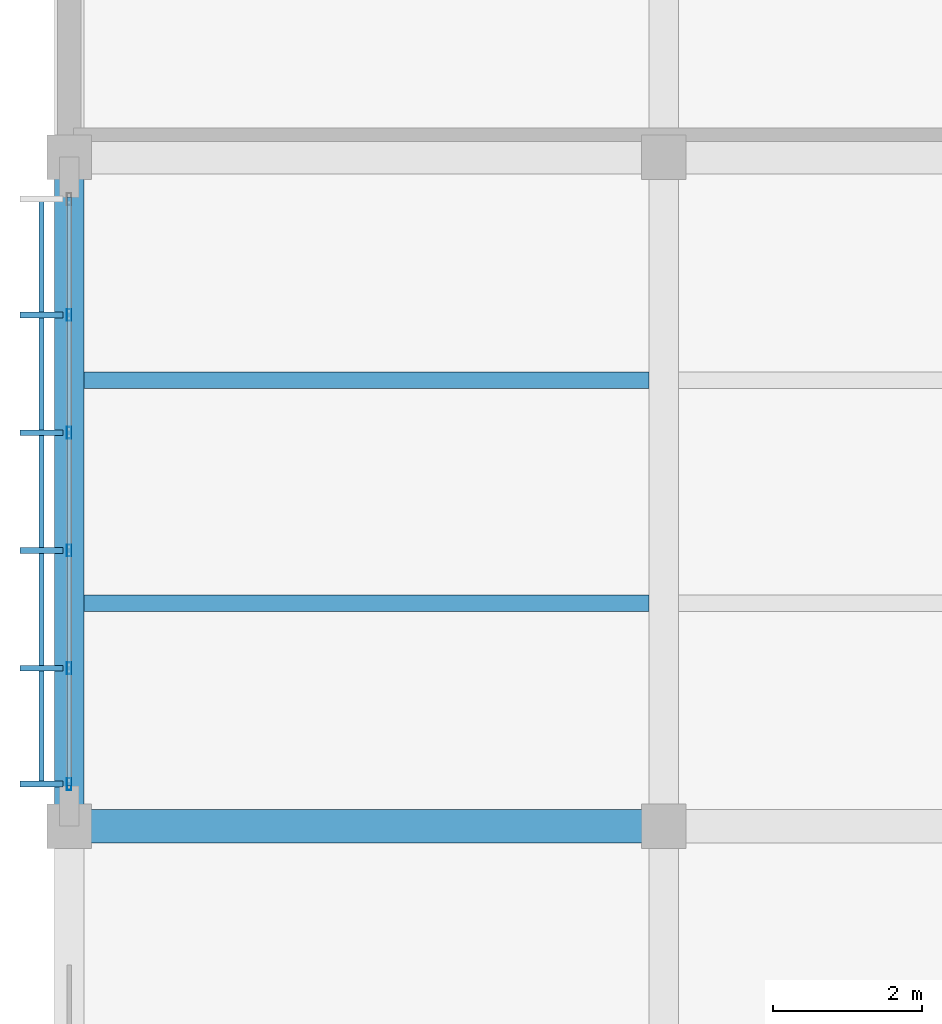
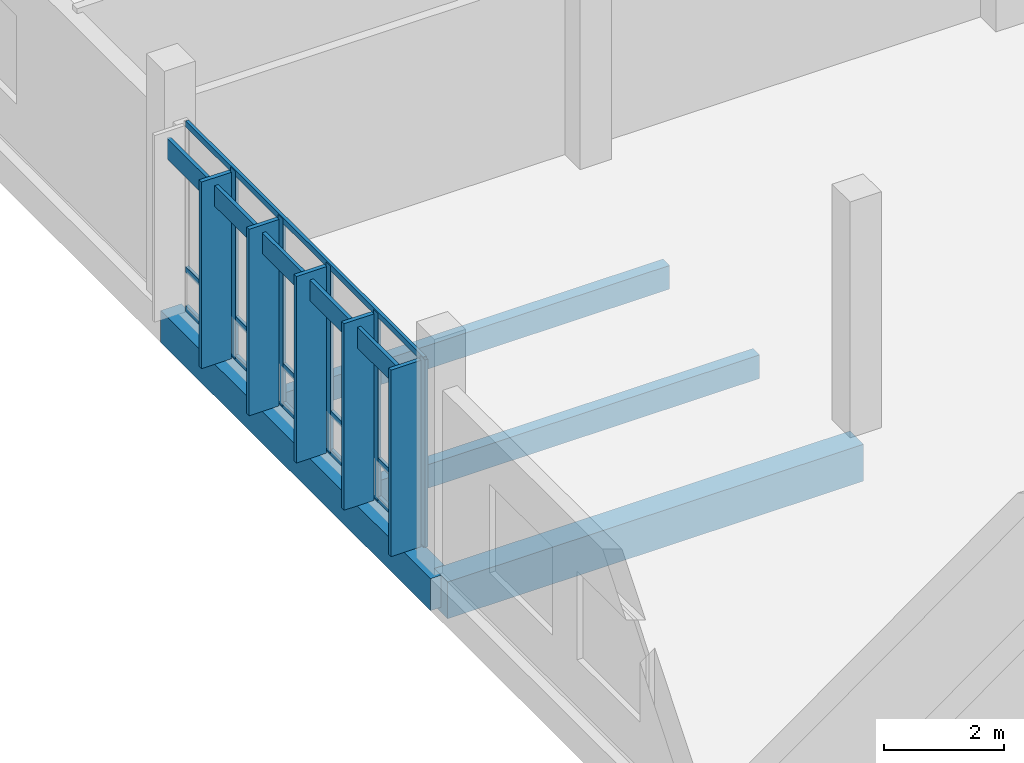
# One storey, part 73 of 177: 14 members, 4 beams, 1 element without a shape of its own.
"""IFC4 building model written with IfcOpenShell, lengths in metres."""

from ifc_helpers import new_model, si_unit, direction, frame, origin, origin_2d, place, context, subcontext, project, spatial, rectangle, hollow_rectangle, extrude, material, material_profile, profile_set, type_object, element, aggregate, save


model = new_model("IFC4")

# Units and contexts
model_context = context("Model", 3, precision=1e-05, world=origin(), true_north=direction((0.0, 1.0)))
body_context = subcontext(model_context, "Body", "Model", "MODEL_VIEW")
ifc_project = project(units=[si_unit("LENGTHUNIT", "METRE"), si_unit("AREAUNIT", "SQUARE_METRE"), si_unit("VOLUMEUNIT", "CUBIC_METRE"), si_unit("PLANEANGLEUNIT", "RADIAN"), si_unit("MASSUNIT", "GRAM", prefix="KILO")], contexts=[model_context])

# Site, building, storey
site_placement = place(None, origin())
site = spatial("IfcSite", under=ifc_project, at=site_placement, CompositionType="ELEMENT")
building_placement = place(site_placement, origin())
building = spatial("IfcBuilding", under=site, at=building_placement, Name="Chiffa Square Polytechnic", CompositionType="ELEMENT")
storey_placement = place(building_placement, frame((0.0, 0.0, 4.800048828125)))
storey = spatial("IfcBuildingStorey", under=building, at=storey_placement, Name="L01", CompositionType="ELEMENT", Elevation=4.800048828125)

# Beams
ifc_material_1 = material(Name="Concrete C35/45", Category="concrete")
ifc_material_profile_1 = material_profile(ifc_material_1, rectangle(XDim=0.39990234375, YDim=0.64990234375, at=origin_2d()), Name="RC 400x650")
ifc_profile_set_1 = profile_set([ifc_material_profile_1], Name="Concrete C35/45")
beam_type_1 = type_object("IfcBeamType", Name="BM-RC-400X650", PredefinedType="BEAM", material=ifc_profile_set_1)
beam_1_placement = place(storey_placement, frame((0.0, 103.800048828125, -0.60498046875), z_axis=(0.0, 1.0, 0.0), x_axis=(-1.0, 0.0, 0.0)))
element("IfcBeam", 1, at=beam_1_placement, inside=storey, type_object=beam_type_1, Name="Primary floor girder BM-V5-L01-Y-0000-1038", PredefinedType="BEAM", context=body_context, shape_type="SweptSolid", body=[
    extrude(rectangle(XDim=0.39990234375, YDim=0.64990234375, at=origin_2d()), origin(), (0.0, 0.0, 1.0), 9.0),
])
ifc_material_profile_2 = material_profile(ifc_material_1, rectangle(XDim=0.449951171875, YDim=0.75, at=origin_2d()), Name="RC 450x750")
ifc_profile_set_2 = profile_set([ifc_material_profile_2], Name="Concrete C35/45")
beam_type_2 = type_object("IfcBeamType", Name="BM-RC-450X750", PredefinedType="BEAM", material=ifc_profile_set_2)
beam_2_placement = place(storey_placement, frame((0.0, 103.800048828125, -0.655029296875), z_axis=(1.0, 0.0, 0.0), x_axis=(0.0, 1.0, 0.0)))
element("IfcBeam", 2, at=beam_2_placement, inside=storey, type_object=beam_type_2, Name="Primary floor girder BM-V5-L01-X-0000-1038", PredefinedType="BEAM", context=body_context, shape_type="SweptSolid", body=[
    extrude(rectangle(XDim=0.449951171875, YDim=0.75, at=origin_2d()), origin(), (0.0, 0.0, 1.0), 8.0),
])

# Curtain wall, members
ifc_material_2 = material(Name="Aluminium EN AW-6060 T66 and glulam shading", Category="wood")
curtain_wall_type = type_object("IfcCurtainWallType", Name="CW-VERT-600X380", PredefinedType="USERDEFINED", material=ifc_material_2)
curtain_wall_placement = place(storey_placement, origin())
curtain_wall = element("IfcCurtainWall", 3, at=curtain_wall_placement, inside=storey, type_object=curtain_wall_type, Name="Curtain wall CW-V5-L01-212", ObjectType="CURTAIN WALL", PredefinedType="USERDEFINED")
ifc_material_3 = material(Name="Aluminium EN AW-6060 T66", Category="aluminium")
ifc_material_profile_3 = material_profile(ifc_material_3, hollow_rectangle(XDim=0.06005859375, YDim=0.159912109375, WallThickness=0.00390625, at=origin_2d()), Name="ALU 60x160x4")
ifc_profile_set_3 = profile_set([ifc_material_profile_3], Name="Aluminium EN AW-6060 T66")
member_type_1 = type_object("IfcMemberType", Name="CWM-ALU-65X150", PredefinedType="MULLION", material=ifc_profile_set_3)
member_1_placement = place(storey_placement, frame((0.0, 110.676025390625, 0.0), z_axis=(0.0, 0.0, 1.0), x_axis=(1.0, 0.0, 0.0)))
member_1 = element("IfcMember", 4, at=member_1_placement, type_object=member_type_1, Name="Curtain wall mullion CW-V5-L01-212-M01", PredefinedType="MULLION", context=body_context, shape_type="SweptSolid", body=[
    extrude(hollow_rectangle(XDim=0.06005859375, YDim=0.159912109375, WallThickness=0.00390625, at=origin_2d()), origin(), (0.0, 0.0, 1.0), 3.81494140625),
])
member_2_placement = place(storey_placement, frame((0.0, 109.092041015625, 0.0), z_axis=(0.0, 0.0, 1.0), x_axis=(1.0, 0.0, 0.0)))
member_2 = element("IfcMember", 5, at=member_2_placement, type_object=member_type_1, Name="Curtain wall mullion CW-V5-L01-212-M02", PredefinedType="MULLION", context=body_context, shape_type="SweptSolid", body=[
    extrude(hollow_rectangle(XDim=0.06005859375, YDim=0.159912109375, WallThickness=0.00390625, at=origin_2d()), origin(), (0.0, 0.0, 1.0), 3.81494140625),
])
member_3_placement = place(storey_placement, frame((0.0, 107.508056640625, 0.0), z_axis=(0.0, 0.0, 1.0), x_axis=(1.0, 0.0, 0.0)))
member_3 = element("IfcMember", 6, at=member_3_placement, type_object=member_type_1, Name="Curtain wall mullion CW-V5-L01-212-M03", PredefinedType="MULLION", context=body_context, shape_type="SweptSolid", body=[
    extrude(hollow_rectangle(XDim=0.06005859375, YDim=0.159912109375, WallThickness=0.00390625, at=origin_2d()), origin(), (0.0, 0.0, 1.0), 3.81494140625),
])
member_4_placement = place(storey_placement, frame((0.0, 105.924072265625, 0.0), z_axis=(0.0, 0.0, 1.0), x_axis=(1.0, 0.0, 0.0)))
member_4 = element("IfcMember", 7, at=member_4_placement, type_object=member_type_1, Name="Curtain wall mullion CW-V5-L01-212-M04", PredefinedType="MULLION", context=body_context, shape_type="SweptSolid", body=[
    extrude(hollow_rectangle(XDim=0.06005859375, YDim=0.159912109375, WallThickness=0.00390625, at=origin_2d()), origin(), (0.0, 0.0, 1.0), 3.81494140625),
])
member_5_placement = place(storey_placement, frame((0.0, 104.364990234375, 0.0), z_axis=(0.0, 0.0, 1.0), x_axis=(1.0, 0.0, 0.0)))
member_5 = element("IfcMember", 8, at=member_5_placement, type_object=member_type_1, Name="Curtain wall mullion CW-V5-L01-212-M05", PredefinedType="MULLION", context=body_context, shape_type="SweptSolid", body=[
    extrude(hollow_rectangle(XDim=0.06005859375, YDim=0.159912109375, WallThickness=0.00390625, at=origin_2d()), origin(), (0.0, 0.0, 1.0), 3.81494140625),
])
ifc_material_4 = material(Name="Glulam GL28h", Category="wood")
ifc_material_profile_4 = material_profile(ifc_material_4, rectangle(XDim=0.080078125, YDim=0.580078125, at=origin_2d()), Name="GL28h 80x580")
ifc_profile_set_4 = profile_set([ifc_material_profile_4], Name="Glulam GL28h")
member_type_2 = type_object("IfcMemberType", Name="CWM-GL-80X580", PredefinedType="MULLION", material=ifc_profile_set_4)
member_6_placement = place(storey_placement, frame((-0.3720703125, 110.676025390625, 0.010009765625), z_axis=(0.0, 0.0, 1.0), x_axis=(0.0, -1.0, 0.0)))
member_6 = element("IfcMember", 9, at=member_6_placement, type_object=member_type_2, Name="Exterior glulam solar fin CW-V5-L01-212-FN01", PredefinedType="MULLION", context=body_context, shape_type="SweptSolid", body=[
    extrude(rectangle(XDim=0.080078125, YDim=0.580078125, at=origin_2d()), origin(), (0.0, 0.0, 1.0), 3.794921875),
])
member_7_placement = place(storey_placement, frame((-0.3720703125, 109.092041015625, 0.010009765625), z_axis=(0.0, 0.0, 1.0), x_axis=(0.0, -1.0, 0.0)))
member_7 = element("IfcMember", 10, at=member_7_placement, type_object=member_type_2, Name="Exterior glulam solar fin CW-V5-L01-212-FN02", PredefinedType="MULLION", context=body_context, shape_type="SweptSolid", body=[
    extrude(rectangle(XDim=0.080078125, YDim=0.580078125, at=origin_2d()), origin(), (0.0, 0.0, 1.0), 3.794921875),
])
member_8_placement = place(storey_placement, frame((-0.3720703125, 107.508056640625, 0.010009765625), z_axis=(0.0, 0.0, 1.0), x_axis=(0.0, -1.0, 0.0)))
member_8 = element("IfcMember", 11, at=member_8_placement, type_object=member_type_2, Name="Exterior glulam solar fin CW-V5-L01-212-FN03", PredefinedType="MULLION", context=body_context, shape_type="SweptSolid", body=[
    extrude(rectangle(XDim=0.080078125, YDim=0.580078125, at=origin_2d()), origin(), (0.0, 0.0, 1.0), 3.794921875),
])
member_9_placement = place(storey_placement, frame((-0.3720703125, 105.924072265625, 0.010009765625), z_axis=(0.0, 0.0, 1.0), x_axis=(0.0, -1.0, 0.0)))
member_9 = element("IfcMember", 12, at=member_9_placement, type_object=member_type_2, Name="Exterior glulam solar fin CW-V5-L01-212-FN04", PredefinedType="MULLION", context=body_context, shape_type="SweptSolid", body=[
    extrude(rectangle(XDim=0.080078125, YDim=0.580078125, at=origin_2d()), origin(), (0.0, 0.0, 1.0), 3.794921875),
])
member_10_placement = place(storey_placement, frame((-0.3720703125, 104.364990234375, 0.010009765625), z_axis=(0.0, 0.0, 1.0), x_axis=(0.0, -1.0, 0.0)))
member_10 = element("IfcMember", 13, at=member_10_placement, type_object=member_type_2, Name="Exterior glulam solar fin CW-V5-L01-212-FN05", PredefinedType="MULLION", context=body_context, shape_type="SweptSolid", body=[
    extrude(rectangle(XDim=0.080078125, YDim=0.580078125, at=origin_2d()), origin(), (0.0, 0.0, 1.0), 3.794921875),
])
ifc_material_profile_5 = material_profile(ifc_material_3, hollow_rectangle(XDim=0.06005859375, YDim=0.1201171875, WallThickness=0.00390625, at=origin_2d()), Name="ALU 60x120x4")
ifc_profile_set_5 = profile_set([ifc_material_profile_5], Name="Aluminium EN AW-6060 T66")
member_type_3 = type_object("IfcMemberType", Name="CWT-ALU-65X120", PredefinedType="USERDEFINED", material=ifc_profile_set_5)
member_11_placement = place(storey_placement, frame((0.0, 112.261962890625, 0.030029296875), z_axis=(0.0, -1.0, 0.0), x_axis=(1.0, 0.0, 0.0)))
member_11 = element("IfcMember", 14, at=member_11_placement, type_object=member_type_3, Name="Curtain wall transom CW-V5-L01-212-T01", ObjectType="TRANSOM", PredefinedType="USERDEFINED", context=body_context, shape_type="SweptSolid", body=[
    extrude(hollow_rectangle(XDim=0.06005859375, YDim=0.1201171875, WallThickness=0.00390625, at=origin_2d()), origin(), (0.0, 0.0, 1.0), 7.924072265625),
])
member_12_placement = place(storey_placement, frame((0.0, 112.261962890625, 0.820068359375), z_axis=(0.0, -1.0, 0.0), x_axis=(1.0, 0.0, 0.0)))
member_12 = element("IfcMember", 15, at=member_12_placement, type_object=member_type_3, Name="Curtain wall transom CW-V5-L01-212-T02", ObjectType="TRANSOM", PredefinedType="USERDEFINED", context=body_context, shape_type="SweptSolid", body=[
    extrude(hollow_rectangle(XDim=0.06005859375, YDim=0.1201171875, WallThickness=0.00390625, at=origin_2d()), origin(), (0.0, 0.0, 1.0), 7.924072265625),
])
member_13_placement = place(storey_placement, frame((0.0, 112.261962890625, 3.784912109375), z_axis=(0.0, -1.0, 0.0), x_axis=(1.0, 0.0, 0.0)))
member_13 = element("IfcMember", 16, at=member_13_placement, type_object=member_type_3, Name="Curtain wall transom CW-V5-L01-212-T03", ObjectType="TRANSOM", PredefinedType="USERDEFINED", context=body_context, shape_type="SweptSolid", body=[
    extrude(hollow_rectangle(XDim=0.06005859375, YDim=0.1201171875, WallThickness=0.00390625, at=origin_2d()), origin(), (0.0, 0.0, 1.0), 7.924072265625),
])
ifc_material_profile_6 = material_profile(ifc_material_4, rectangle(XDim=0.070068359375, YDim=0.419921875, at=origin_2d()), Name="GL28h 70x420")
ifc_profile_set_6 = profile_set([ifc_material_profile_6], Name="Glulam GL28h")
member_type_4 = type_object("IfcMemberType", Name="CWT-GL-70X420", PredefinedType="USERDEFINED", material=ifc_profile_set_6)
member_14_placement = place(storey_placement, frame((-0.3720703125, 112.235107421875, 3.43505859375), z_axis=(0.0, -1.0, 0.0), x_axis=(1.0, 0.0, 0.0)))
member_14 = element("IfcMember", 17, at=member_14_placement, type_object=member_type_4, Name="Exterior glulam brise-soleil CW-V5-L01-212-BS01", ObjectType="TRANSOM", PredefinedType="USERDEFINED", context=body_context, shape_type="SweptSolid", body=[
    extrude(rectangle(XDim=0.070068359375, YDim=0.419921875, at=origin_2d()), origin(), (0.0, 0.0, 1.0), 7.8701171875),
])
aggregate(curtain_wall, [member_1, member_6, member_2, member_7, member_3, member_8, member_4, member_9, member_5, member_10, member_11, member_12, member_13, member_14])

# Beams
ifc_material_profile_7 = material_profile(ifc_material_4, rectangle(XDim=0.219970703125, YDim=0.47998046875, at=origin_2d()), Name="GL28h 220x480")
ifc_profile_set_7 = profile_set([ifc_material_profile_7], Name="Glulam GL28h")
beam_type_3 = type_object("IfcBeamType", Name="JST-GL-220X480", PredefinedType="JOIST", material=ifc_profile_set_7)
for number, where, z_axis, x_axis, name in (
    (18, (0.197998046875, 106.800048828125, -0.52001953125), (1.0, 0.0, 0.0), (0.0, 1.0, 0.0), "Secondary floor joist JST-V5-L01-0000-1068"),
    (19, (0.197998046875, 109.800048828125, -0.52001953125), (1.0, 0.0, 0.0), (0.0, 1.0, 0.0), "Secondary floor joist JST-V5-L01-0000-1098"),
):
    element("IfcBeam", number, at=place(storey_placement, frame(where, z_axis=z_axis, x_axis=x_axis)), inside=storey, type_object=beam_type_3, Name=name, PredefinedType="JOIST", context=body_context, shape_type="SweptSolid", body=[
        extrude(rectangle(XDim=0.219970703125, YDim=0.47998046875, at=origin_2d()), origin(), (0.0, 0.0, 1.0), 7.60400390625),
    ])

save(model, "model.ifc")
